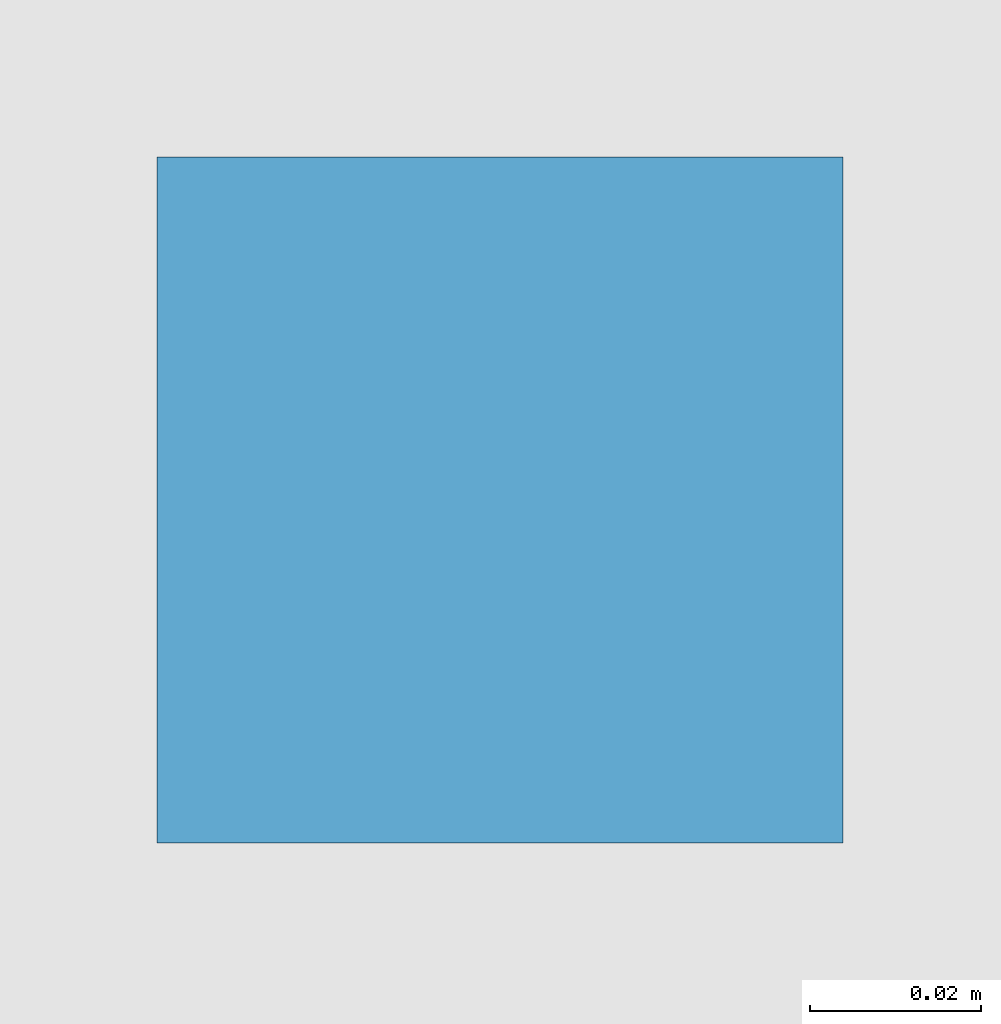
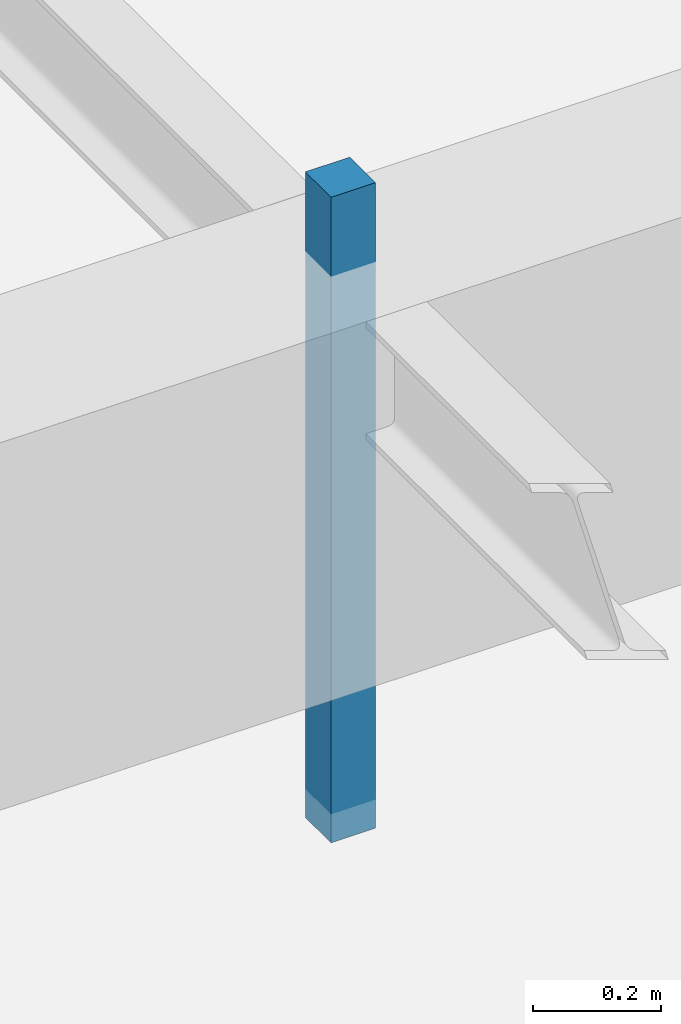
# One storey, part 55 of 63: 1 discrete accessory.
"""IFC4 building model written with IfcOpenShell, lengths in metres."""

from ifc_helpers import new_model, si_unit, direction, frame, origin, origin_2d, place, context, subcontext, project, spatial, rectangle, extrude, material, layer, layer_set, type_object, element, save


model = new_model("IFC4")

# Units and contexts
model_context = context("Model", 3, precision=1e-05, world=origin(), true_north=direction((0.0, 1.0)))
body_context = subcontext(model_context, "Body", "Model", "MODEL_VIEW")
ifc_project = project(units=[si_unit("LENGTHUNIT", "METRE"), si_unit("AREAUNIT", "SQUARE_METRE"), si_unit("VOLUMEUNIT", "CUBIC_METRE"), si_unit("PLANEANGLEUNIT", "RADIAN"), si_unit("MASSUNIT", "GRAM", prefix="KILO")], contexts=[model_context])

# Site, building, storey
site_placement = place(None, origin())
site = spatial("IfcSite", under=ifc_project, at=site_placement, CompositionType="ELEMENT")
building_placement = place(site_placement, origin())
building = spatial("IfcBuilding", under=site, at=building_placement, Name="Varnabhumi Central Station", CompositionType="ELEMENT")
storey_placement = place(building_placement, frame((0.0, 0.0, 20.39990234375)))
storey = spatial("IfcBuildingStorey", under=building, at=storey_placement, Name="L04", CompositionType="ELEMENT", Elevation=20.39990234375)

# Discrete accessory
ifc_material = material(Name="Structural steel E350", Category="steel")
ifc_layer = layer(ifc_material, 0.159912109375, Name="Structural steel E350", Category="steel")
ifc_layer_set = layer_set([ifc_layer], Name="Structural steel E350")
discrete_accessory_type = type_object("IfcDiscreteAccessoryType", Name="ACC-SHADE-BRKT", PredefinedType="BRACKET", material=ifc_layer_set)
discrete_accessory_placement = place(storey_placement, frame((92.0, 27.0, 2.840087890625), z_axis=(0.0, 0.0, 1.0), x_axis=(1.0, 0.0, 0.0)))
element("IfcDiscreteAccessory", 1, at=discrete_accessory_placement, inside=storey, type_object=discrete_accessory_type, Name="Axle Counter and Signalling Equipment Room Ceiling Hanger", PredefinedType="BRACKET", context=body_context, shape_type="SweptSolid", body=[
    extrude(rectangle(XDim=0.080078125, YDim=0.080078125, at=origin_2d()), origin(), (0.0, 0.0, 1.0), 1.22998046875),
])

save(model, "model.ifc")
